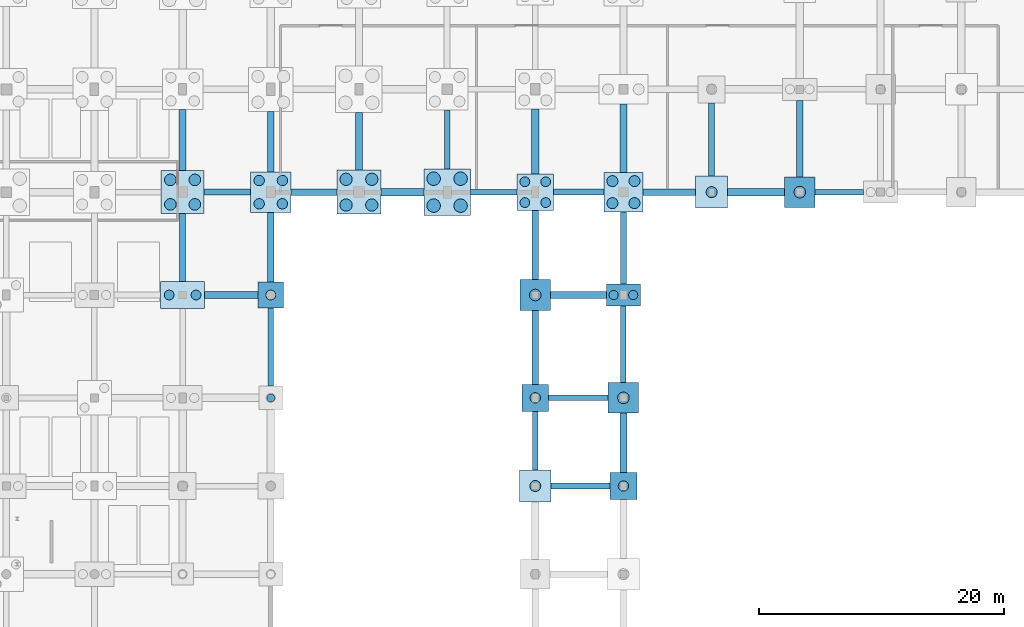
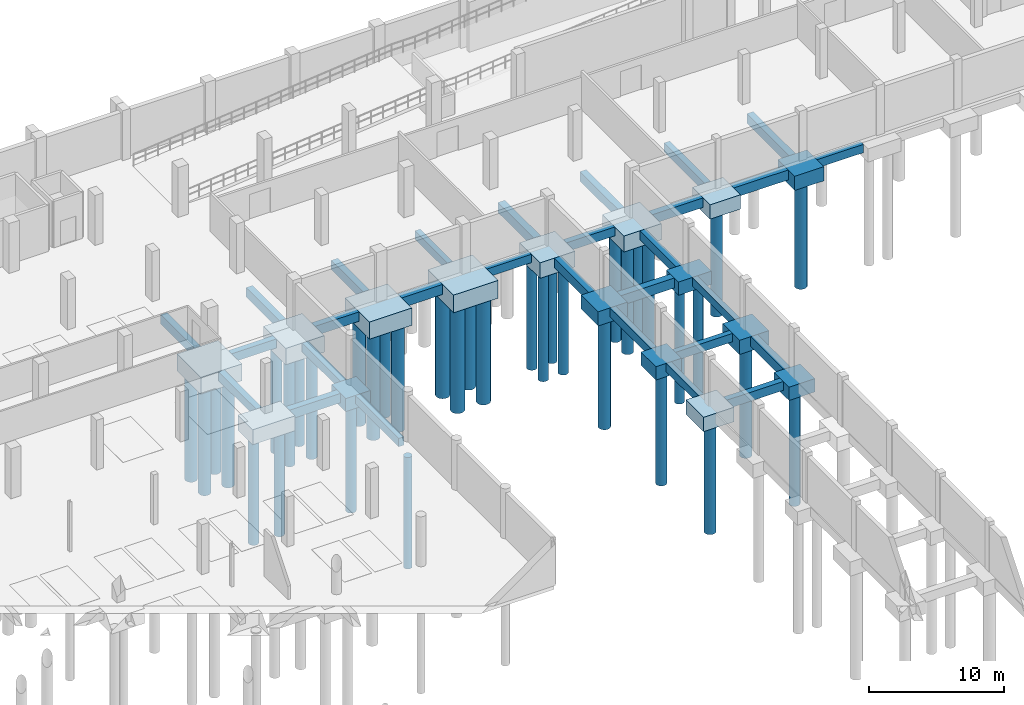
# One storey, part 10 of 35: 45 footings, 37 piles.
"""IFC4 building model written with IfcOpenShell, lengths in metres."""

from ifc_helpers import new_model, si_unit, direction, frame, origin, origin_2d, place, context, subcontext, project, spatial, rectangle, circle, extrude, material, material_profile, profile_set, type_object, element, save


model = new_model("IFC4")

# Units and contexts
model_context = context("Model", 3, precision=1e-05, world=origin(), true_north=direction((0.0, 1.0)))
body_context = subcontext(model_context, "Body", "Model", "MODEL_VIEW")
ifc_project = project(units=[si_unit("LENGTHUNIT", "METRE"), si_unit("AREAUNIT", "SQUARE_METRE"), si_unit("VOLUMEUNIT", "CUBIC_METRE"), si_unit("PLANEANGLEUNIT", "RADIAN"), si_unit("MASSUNIT", "GRAM", prefix="KILO")], contexts=[model_context])

# Site, building, storey
site_placement = place(None, origin())
site = spatial("IfcSite", under=ifc_project, at=site_placement, CompositionType="ELEMENT")
building_placement = place(site_placement, origin())
building = spatial("IfcBuilding", under=site, at=building_placement, Name="Kalluvel Institute of Natural Sciences", CompositionType="ELEMENT")
storey_placement = place(building_placement, frame((0.0, 0.0, -4.5)))
storey = spatial("IfcBuildingStorey", under=building, at=storey_placement, Name="B1", CompositionType="ELEMENT", Elevation=-4.5)

# Footings
ifc_material = material(Name="Concrete M40", Category="concrete")
footing_type_1 = type_object("IfcFootingType", Name="FB-450x750", PredefinedType="FOOTING_BEAM", material=ifc_material)
footing_1_placement = place(storey_placement, frame((111.125, 86.0, -0.75), z_axis=(0.0, 0.0, 1.0), x_axis=(1.0, 0.0, 0.0)))
element("IfcFooting", 1, at=footing_1_placement, inside=storey, type_object=footing_type_1, Name="Foundation tie beam GB-X-100", PredefinedType="FOOTING_BEAM", context=body_context, shape_type="SweptSolid", body=[
    extrude(rectangle(XDim=4.85009765625, YDim=0.449951171875, at=origin_2d()), origin(), (0.0, 0.0, 1.0), 0.75),
])
footing_2_placement = place(storey_placement, frame((104.199951171875, 102.800048828125, -1.199951171875), z_axis=(0.0, 0.0, 1.0), x_axis=(1.0, 0.0, 0.0)))
element("IfcFooting", 2, at=footing_2_placement, inside=storey, type_object=footing_type_1, Name="Foundation tie beam GB-X-124", PredefinedType="FOOTING_BEAM", context=body_context, shape_type="SweptSolid", body=[
    extrude(rectangle(XDim=3.800048828125, YDim=0.449951171875, at=origin_2d()), origin(), (0.0, 0.0, 1.0), 0.75),
])
footing_3_placement = place(storey_placement, frame((132.425048828125, 102.800048828125, -1.199951171875), z_axis=(0.0, 0.0, 1.0), x_axis=(1.0, 0.0, 0.0)))
element("IfcFooting", 3, at=footing_3_placement, inside=storey, type_object=footing_type_1, Name="Foundation tie beam GB-X-128", PredefinedType="FOOTING_BEAM", context=body_context, shape_type="SweptSolid", body=[
    extrude(rectangle(XDim=3.949951171875, YDim=0.449951171875, at=origin_2d()), origin(), (0.0, 0.0, 1.0), 0.75),
])
footing_4_placement = place(storey_placement, frame((86.0, 90.14990234375, -1.199951171875), z_axis=(0.0, 0.0, 1.0), x_axis=(1.0, 0.0, 0.0)))
element("IfcFooting", 4, at=footing_4_placement, inside=storey, type_object=footing_type_1, Name="Foundation tie beam GB-Y-312", PredefinedType="FOOTING_BEAM", context=body_context, shape_type="SweptSolid", body=[
    extrude(rectangle(XDim=0.449951171875, YDim=6.39990234375, at=origin_2d()), origin(), (0.0, 0.0, 1.0), 0.75),
])
for number, where, z_axis, x_axis, name in (
    (5, (100.39990234375, 107.10009765625, -1.199951171875), (0.0, 0.0, 1.0), (1.0, 0.0, 0.0), "Foundation tie beam GB-Y-324"),
    (6, (107.60009765625, 82.5, -0.75), (0.0, 0.0, 1.0), (1.0, 0.0, 0.0), "Foundation tie beam GB-Y-336"),
):
    element("IfcFooting", number, at=place(storey_placement, frame(where, z_axis=z_axis, x_axis=x_axis)), inside=storey, type_object=footing_type_1, Name=name, PredefinedType="FOOTING_BEAM", context=body_context, shape_type="SweptSolid", body=[
        extrude(rectangle(XDim=0.449951171875, YDim=4.800048828125, at=origin_2d()), origin(), (0.0, 0.0, 1.0), 0.75),
    ])
footing_5_placement = place(storey_placement, frame((114.800048828125, 90.375, -0.75), z_axis=(0.0, 0.0, 1.0), x_axis=(1.0, 0.0, 0.0)))
element("IfcFooting", 7, at=footing_5_placement, inside=storey, type_object=footing_type_1, Name="Foundation tie beam GB-Y-352", PredefinedType="FOOTING_BEAM", context=body_context, shape_type="SweptSolid", body=[
    extrude(rectangle(XDim=0.449951171875, YDim=6.25, at=origin_2d()), origin(), (0.0, 0.0, 1.0), 0.75),
])
footing_type_2 = type_object("IfcFootingType", Name="FB-500x800", PredefinedType="FOOTING_BEAM", material=ifc_material)
footing_6_placement = place(storey_placement, frame((111.300048828125, 78.800048828125, -0.7998046875), z_axis=(0.0, 0.0, 1.0), x_axis=(1.0, 0.0, 0.0)))
element("IfcFooting", 8, at=footing_6_placement, inside=storey, type_object=footing_type_2, Name="Foundation tie beam GB-X-089", PredefinedType="FOOTING_BEAM", context=body_context, shape_type="SweptSolid", body=[
    extrude(rectangle(XDim=4.800048828125, YDim=0.5, at=origin_2d()), origin(), (0.0, 0.0, 1.0), 0.800048828125),
])
footing_7_placement = place(storey_placement, frame((82.449951171875, 102.800048828125, -1.25), z_axis=(0.0, 0.0, 1.0), x_axis=(1.0, 0.0, 0.0)))
element("IfcFooting", 9, at=footing_7_placement, inside=storey, type_object=footing_type_2, Name="Foundation tie beam GB-X-121", PredefinedType="FOOTING_BEAM", context=body_context, shape_type="SweptSolid", body=[
    extrude(rectangle(XDim=3.800048828125, YDim=0.5, at=origin_2d()), origin(), (0.0, 0.0, 1.0), 0.800048828125),
])
footing_8_placement = place(storey_placement, frame((111.14990234375, 102.800048828125, -1.25), z_axis=(0.0, 0.0, 1.0), x_axis=(1.0, 0.0, 0.0)))
element("IfcFooting", 10, at=footing_8_placement, inside=storey, type_object=footing_type_2, Name="Foundation tie beam GB-X-125", PredefinedType="FOOTING_BEAM", context=body_context, shape_type="SweptSolid", body=[
    extrude(rectangle(XDim=4.10009765625, YDim=0.5, at=origin_2d()), origin(), (0.0, 0.0, 1.0), 0.800048828125),
])
footing_9_placement = place(storey_placement, frame((78.800048828125, 98.27490234375, -1.25), z_axis=(0.0, 0.0, 1.0), x_axis=(1.0, 0.0, 0.0)))
element("IfcFooting", 11, at=footing_9_placement, inside=storey, type_object=footing_type_2, Name="Foundation tie beam GB-Y-305", PredefinedType="FOOTING_BEAM", context=body_context, shape_type="SweptSolid", body=[
    extrude(rectangle(XDim=0.5, YDim=5.550048828125, at=origin_2d()), origin(), (0.0, 0.0, 1.0), 0.800048828125),
])
footing_10_placement = place(storey_placement, frame((86.0, 98.300048828125, -1.25), z_axis=(0.0, 0.0, 1.0), x_axis=(1.0, 0.0, 0.0)))
element("IfcFooting", 12, at=footing_10_placement, inside=storey, type_object=footing_type_2, Name="Foundation tie beam GB-Y-313", PredefinedType="FOOTING_BEAM", context=body_context, shape_type="SweptSolid", body=[
    extrude(rectangle(XDim=0.5, YDim=5.699951171875, at=origin_2d()), origin(), (0.0, 0.0, 1.0), 0.800048828125),
])
footing_11_placement = place(storey_placement, frame((107.60009765625, 90.125, -0.7998046875), z_axis=(0.0, 0.0, 1.0), x_axis=(1.0, 0.0, 0.0)))
element("IfcFooting", 13, at=footing_11_placement, inside=storey, type_object=footing_type_2, Name="Foundation tie beam GB-Y-337", PredefinedType="FOOTING_BEAM", context=body_context, shape_type="SweptSolid", body=[
    extrude(rectangle(XDim=0.5, YDim=6.050048828125, at=origin_2d()), origin(), (0.0, 0.0, 1.0), 0.800048828125),
])
footing_12_placement = place(storey_placement, frame((114.800048828125, 98.25, -1.25), z_axis=(0.0, 0.0, 1.0), x_axis=(1.0, 0.0, 0.0)))
element("IfcFooting", 14, at=footing_12_placement, inside=storey, type_object=footing_type_2, Name="Foundation tie beam GB-Y-353", PredefinedType="FOOTING_BEAM", context=body_context, shape_type="SweptSolid", body=[
    extrude(rectangle(XDim=0.5, YDim=5.89990234375, at=origin_2d()), origin(), (0.0, 0.0, 1.0), 0.800048828125),
])
footing_13_placement = place(storey_placement, frame((122.0, 107.10009765625, -1.25), z_axis=(0.0, 0.0, 1.0), x_axis=(1.0, 0.0, 0.0)))
element("IfcFooting", 15, at=footing_13_placement, inside=storey, type_object=footing_type_2, Name="Foundation tie beam GB-Y-357", PredefinedType="FOOTING_BEAM", context=body_context, shape_type="SweptSolid", body=[
    extrude(rectangle(XDim=0.5, YDim=6.0, at=origin_2d()), origin(), (0.0, 0.0, 1.0), 0.800048828125),
])
footing_type_3 = type_object("IfcFootingType", Name="FB-550x850", PredefinedType="FOOTING_BEAM", material=ifc_material)
footing_14_placement = place(storey_placement, frame((82.77490234375, 94.39990234375, -1.300048828125), z_axis=(0.0, 0.0, 1.0), x_axis=(1.0, 0.0, 0.0)))
element("IfcFooting", 16, at=footing_14_placement, inside=storey, type_object=footing_type_3, Name="Foundation tie beam GB-X-110", PredefinedType="FOOTING_BEAM", context=body_context, shape_type="SweptSolid", body=[
    extrude(rectangle(XDim=4.35009765625, YDim=0.550048828125, at=origin_2d()), origin(), (0.0, 0.0, 1.0), 0.85009765625),
])
footing_15_placement = place(storey_placement, frame((89.52490234375, 102.800048828125, -1.300048828125), z_axis=(0.0, 0.0, 1.0), x_axis=(1.0, 0.0, 0.0)))
element("IfcFooting", 17, at=footing_15_placement, inside=storey, type_object=footing_type_3, Name="Foundation tie beam GB-X-122", PredefinedType="FOOTING_BEAM", context=body_context, shape_type="SweptSolid", body=[
    extrude(rectangle(XDim=3.75, YDim=0.550048828125, at=origin_2d()), origin(), (0.0, 0.0, 1.0), 0.85009765625),
])
footing_16_placement = place(storey_placement, frame((118.550048828125, 102.800048828125, -1.300048828125), z_axis=(0.0, 0.0, 1.0), x_axis=(1.0, 0.0, 0.0)))
element("IfcFooting", 18, at=footing_16_placement, inside=storey, type_object=footing_type_3, Name="Foundation tie beam GB-X-126", PredefinedType="FOOTING_BEAM", context=body_context, shape_type="SweptSolid", body=[
    extrude(rectangle(XDim=4.300048828125, YDim=0.550048828125, at=origin_2d()), origin(), (0.0, 0.0, 1.0), 0.85009765625),
])
footing_17_placement = place(storey_placement, frame((78.800048828125, 107.050048828125, -1.300048828125), z_axis=(0.0, 0.0, 1.0), x_axis=(1.0, 0.0, 0.0)))
element("IfcFooting", 19, at=footing_17_placement, inside=storey, type_object=footing_type_3, Name="Foundation tie beam GB-Y-306", PredefinedType="FOOTING_BEAM", context=body_context, shape_type="SweptSolid", body=[
    extrude(rectangle(XDim=0.550048828125, YDim=5.0, at=origin_2d()), origin(), (0.0, 0.0, 1.0), 0.85009765625),
])
footing_18_placement = place(storey_placement, frame((86.0, 106.925048828125, -1.300048828125), z_axis=(0.0, 0.0, 1.0), x_axis=(1.0, 0.0, 0.0)))
element("IfcFooting", 20, at=footing_18_placement, inside=storey, type_object=footing_type_3, Name="Foundation tie beam GB-Y-314", PredefinedType="FOOTING_BEAM", context=body_context, shape_type="SweptSolid", body=[
    extrude(rectangle(XDim=0.550048828125, YDim=4.949951171875, at=origin_2d()), origin(), (0.0, 0.0, 1.0), 0.85009765625),
])
footing_19_placement = place(storey_placement, frame((93.199951171875, 106.949951171875, -1.300048828125), z_axis=(0.0, 0.0, 1.0), x_axis=(1.0, 0.0, 0.0)))
element("IfcFooting", 21, at=footing_19_placement, inside=storey, type_object=footing_type_3, Name="Foundation tie beam GB-Y-318", PredefinedType="FOOTING_BEAM", context=body_context, shape_type="SweptSolid", body=[
    extrude(rectangle(XDim=0.550048828125, YDim=4.699951171875, at=origin_2d()), origin(), (0.0, 0.0, 1.0), 0.85009765625),
])
footing_20_placement = place(storey_placement, frame((107.60009765625, 98.47509765625, -1.300048828125), z_axis=(0.0, 0.0, 1.0), x_axis=(1.0, 0.0, 0.0)))
element("IfcFooting", 22, at=footing_20_placement, inside=storey, type_object=footing_type_3, Name="Foundation tie beam GB-Y-338", PredefinedType="FOOTING_BEAM", context=body_context, shape_type="SweptSolid", body=[
    extrude(rectangle(XDim=0.550048828125, YDim=5.64990234375, at=origin_2d()), origin(), (0.0, 0.0, 1.0), 0.85009765625),
])
footing_21_placement = place(storey_placement, frame((114.800048828125, 107.199951171875, -1.300048828125), z_axis=(0.0, 0.0, 1.0), x_axis=(1.0, 0.0, 0.0)))
element("IfcFooting", 23, at=footing_21_placement, inside=storey, type_object=footing_type_3, Name="Foundation tie beam GB-Y-354", PredefinedType="FOOTING_BEAM", context=body_context, shape_type="SweptSolid", body=[
    extrude(rectangle(XDim=0.550048828125, YDim=5.60009765625, at=origin_2d()), origin(), (0.0, 0.0, 1.0), 0.85009765625),
])
footing_22_placement = place(storey_placement, frame((129.199951171875, 107.175048828125, -1.300048828125), z_axis=(0.0, 0.0, 1.0), x_axis=(1.0, 0.0, 0.0)))
element("IfcFooting", 24, at=footing_22_placement, inside=storey, type_object=footing_type_3, Name="Foundation tie beam GB-Y-358", PredefinedType="FOOTING_BEAM", context=body_context, shape_type="SweptSolid", body=[
    extrude(rectangle(XDim=0.550048828125, YDim=6.25, at=origin_2d()), origin(), (0.0, 0.0, 1.0), 0.85009765625),
])
footing_type_4 = type_object("IfcFootingType", Name="FB-600x900", PredefinedType="FOOTING_BEAM", material=ifc_material)
footing_23_placement = place(storey_placement, frame((111.125, 94.39990234375, -0.89990234375), z_axis=(0.0, 0.0, 1.0), x_axis=(1.0, 0.0, 0.0)))
element("IfcFooting", 25, at=footing_23_placement, inside=storey, type_object=footing_type_4, Name="Foundation tie beam GB-X-111", PredefinedType="FOOTING_BEAM", context=body_context, shape_type="SweptSolid", body=[
    extrude(rectangle(XDim=4.550048828125, YDim=0.60009765625, at=origin_2d()), origin(), (0.0, 0.0, 1.0), 0.89990234375),
])
footing_24_placement = place(storey_placement, frame((96.75, 102.800048828125, -1.349853515625), z_axis=(0.0, 0.0, 1.0), x_axis=(1.0, 0.0, 0.0)))
element("IfcFooting", 26, at=footing_24_placement, inside=storey, type_object=footing_type_4, Name="Foundation tie beam GB-X-123", PredefinedType="FOOTING_BEAM", context=body_context, shape_type="SweptSolid", body=[
    extrude(rectangle(XDim=3.5, YDim=0.60009765625, at=origin_2d()), origin(), (0.0, 0.0, 1.0), 0.89990234375),
])
footing_25_placement = place(storey_placement, frame((125.625, 102.800048828125, -1.349853515625), z_axis=(0.0, 0.0, 1.0), x_axis=(1.0, 0.0, 0.0)))
element("IfcFooting", 27, at=footing_25_placement, inside=storey, type_object=footing_type_4, Name="Foundation tie beam GB-X-127", PredefinedType="FOOTING_BEAM", context=body_context, shape_type="SweptSolid", body=[
    extrude(rectangle(XDim=4.64990234375, YDim=0.60009765625, at=origin_2d()), origin(), (0.0, 0.0, 1.0), 0.89990234375),
])
footing_26_placement = place(storey_placement, frame((107.60009765625, 106.949951171875, -1.349853515625), z_axis=(0.0, 0.0, 1.0), x_axis=(1.0, 0.0, 0.0)))
element("IfcFooting", 28, at=footing_26_placement, inside=storey, type_object=footing_type_4, Name="Foundation tie beam GB-Y-339", PredefinedType="FOOTING_BEAM", context=body_context, shape_type="SweptSolid", body=[
    extrude(rectangle(XDim=0.60009765625, YDim=5.300048828125, at=origin_2d()), origin(), (0.0, 0.0, 1.0), 0.89990234375),
])
footing_27_placement = place(storey_placement, frame((114.800048828125, 82.324951171875, -0.89990234375), z_axis=(0.0, 0.0, 1.0), x_axis=(1.0, 0.0, 0.0)))
element("IfcFooting", 29, at=footing_27_placement, inside=storey, type_object=footing_type_4, Name="Foundation tie beam GB-Y-351", PredefinedType="FOOTING_BEAM", context=body_context, shape_type="SweptSolid", body=[
    extrude(rectangle(XDim=0.60009765625, YDim=4.85009765625, at=origin_2d()), origin(), (0.0, 0.0, 1.0), 0.89990234375),
])
footing_type_5 = type_object("IfcFootingType", Name="PC-2100x2100x1180", PredefinedType="PILE_CAP", material=ifc_material)
footing_28_placement = place(storey_placement, frame((86.0, 94.39990234375, -1.6298828125), z_axis=(0.0, 0.0, 1.0), x_axis=(1.0, 0.0, 0.0)))
element("IfcFooting", 30, at=footing_28_placement, inside=storey, type_object=footing_type_5, Name="Pile cap CAP-135", PredefinedType="PILE_CAP", context=body_context, shape_type="SweptSolid", body=[
    extrude(rectangle(XDim=2.10009765625, YDim=2.10009765625, at=origin_2d()), origin(), (0.0, 0.0, 1.0), 1.179931640625),
])
footing_type_6 = type_object("IfcFootingType", Name="PC-2200x2200x1200", PredefinedType="PILE_CAP", material=ifc_material)
for number, where, z_axis, x_axis, name in (
    (31, (107.60009765625, 86.0, -1.2001953125), (0.0, 0.0, 1.0), (1.0, 0.0, 0.0), "Pile cap CAP-164"),
    (32, (114.800048828125, 78.800048828125, -1.2001953125), (0.0, 0.0, 1.0), (1.0, 0.0, 0.0), "Pile cap CAP-179"),
):
    element("IfcFooting", number, at=place(storey_placement, frame(where, z_axis=z_axis, x_axis=x_axis)), inside=storey, type_object=footing_type_6, Name=name, PredefinedType="PILE_CAP", context=body_context, shape_type="SweptSolid", body=[
        extrude(rectangle(XDim=2.199951171875, YDim=2.199951171875, at=origin_2d()), origin(), (0.0, 0.0, 1.0), 1.199951171875),
    ])
footing_type_7 = type_object("IfcFootingType", Name="PC-2500x2500x1280", PredefinedType="PILE_CAP", material=ifc_material)
for number, where, z_axis, x_axis, name in (
    (33, (107.60009765625, 94.39990234375, -1.27978515625), (0.0, 0.0, 1.0), (1.0, 0.0, 0.0), "Pile cap CAP-165"),
    (34, (114.800048828125, 86.0, -1.27978515625), (0.0, 0.0, 1.0), (1.0, 0.0, 0.0), "Pile cap CAP-180"),
    (35, (129.199951171875, 102.800048828125, -1.72998046875), (0.0, 0.0, 1.0), (1.0, 0.0, 0.0), "Pile cap CAP-192"),
):
    element("IfcFooting", number, at=place(storey_placement, frame(where, z_axis=z_axis, x_axis=x_axis)), inside=storey, type_object=footing_type_7, Name=name, PredefinedType="PILE_CAP", context=body_context, shape_type="SweptSolid", body=[
        extrude(rectangle(XDim=2.5, YDim=2.5, at=origin_2d()), origin(), (0.0, 0.0, 1.0), 1.280029296875),
    ])
footing_type_8 = type_object("IfcFootingType", Name="PC-2600x2600x1300", PredefinedType="PILE_CAP", material=ifc_material)
for number, where, z_axis, x_axis, name in (
    (36, (107.60009765625, 78.800048828125, -1.2998046875), (0.0, 0.0, 1.0), (1.0, 0.0, 0.0), "Pile cap CAP-163"),
    (37, (122.0, 102.800048828125, -1.75), (0.0, 0.0, 1.0), (1.0, 0.0, 0.0), "Pile cap CAP-188"),
):
    element("IfcFooting", number, at=place(storey_placement, frame(where, z_axis=z_axis, x_axis=x_axis)), inside=storey, type_object=footing_type_8, Name=name, PredefinedType="PILE_CAP", context=body_context, shape_type="SweptSolid", body=[
        extrude(rectangle(XDim=2.60009765625, YDim=2.60009765625, at=origin_2d()), origin(), (0.0, 0.0, 1.0), 1.300048828125),
    ])
footing_type_9 = type_object("IfcFootingType", Name="PC-2800x1800x1200", PredefinedType="PILE_CAP", material=ifc_material)
footing_29_placement = place(storey_placement, frame((114.800048828125, 94.39990234375, -1.2001953125), z_axis=(0.0, 0.0, 1.0), x_axis=(1.0, 0.0, 0.0)))
element("IfcFooting", 38, at=footing_29_placement, inside=storey, type_object=footing_type_9, Name="Pile cap CAP-181", PredefinedType="PILE_CAP", context=body_context, shape_type="SweptSolid", body=[
    extrude(rectangle(XDim=2.800048828125, YDim=1.800048828125, at=origin_2d()), origin(), (0.0, 0.0, 1.0), 1.199951171875),
])
footing_type_10 = type_object("IfcFootingType", Name="PC-3000x3000x1400", PredefinedType="PILE_CAP", material=ifc_material)
footing_30_placement = place(storey_placement, frame((107.60009765625, 102.800048828125, -1.849853515625), z_axis=(0.0, 0.0, 1.0), x_axis=(1.0, 0.0, 0.0)))
element("IfcFooting", 39, at=footing_30_placement, inside=storey, type_object=footing_type_10, Name="Pile cap CAP-166", PredefinedType="PILE_CAP", context=body_context, shape_type="SweptSolid", body=[
    extrude(rectangle(XDim=3.0, YDim=3.0, at=origin_2d()), origin(), (0.0, 0.0, 1.0), 1.39990234375),
])
footing_type_11 = type_object("IfcFootingType", Name="PC-3200x3200x1450", PredefinedType="PILE_CAP", material=ifc_material)
footing_31_placement = place(storey_placement, frame((114.800048828125, 102.800048828125, -1.89990234375), z_axis=(0.0, 0.0, 1.0), x_axis=(1.0, 0.0, 0.0)))
element("IfcFooting", 40, at=footing_31_placement, inside=storey, type_object=footing_type_11, Name="Pile cap CAP-182", PredefinedType="PILE_CAP", context=body_context, shape_type="SweptSolid", body=[
    extrude(rectangle(XDim=3.199951171875, YDim=3.199951171875, at=origin_2d()), origin(), (0.0, 0.0, 1.0), 1.449951171875),
])
footing_type_12 = type_object("IfcFootingType", Name="PC-3300x3300x1480", PredefinedType="PILE_CAP", material=ifc_material)
footing_32_placement = place(storey_placement, frame((86.0, 102.800048828125, -1.929931640625), z_axis=(0.0, 0.0, 1.0), x_axis=(1.0, 0.0, 0.0)))
element("IfcFooting", 41, at=footing_32_placement, inside=storey, type_object=footing_type_12, Name="Pile cap CAP-136", PredefinedType="PILE_CAP", context=body_context, shape_type="SweptSolid", body=[
    extrude(rectangle(XDim=3.300048828125, YDim=3.300048828125, at=origin_2d()), origin(), (0.0, 0.0, 1.0), 1.47998046875),
])
footing_type_13 = type_object("IfcFootingType", Name="PC-3500x3500x1520", PredefinedType="PILE_CAP", material=ifc_material)
footing_33_placement = place(storey_placement, frame((78.800048828125, 102.800048828125, -1.969970703125), z_axis=(0.0, 0.0, 1.0), x_axis=(1.0, 0.0, 0.0)))
element("IfcFooting", 42, at=footing_33_placement, inside=storey, type_object=footing_type_13, Name="Pile cap CAP-126", PredefinedType="PILE_CAP", context=body_context, shape_type="SweptSolid", body=[
    extrude(rectangle(XDim=3.5, YDim=3.5, at=origin_2d()), origin(), (0.0, 0.0, 1.0), 1.52001953125),
])
footing_type_14 = type_object("IfcFootingType", Name="PC-3600x2200x1350", PredefinedType="PILE_CAP", material=ifc_material)
footing_34_placement = place(storey_placement, frame((78.800048828125, 94.39990234375, -1.800048828125), z_axis=(0.0, 0.0, 1.0), x_axis=(1.0, 0.0, 0.0)))
element("IfcFooting", 43, at=footing_34_placement, inside=storey, type_object=footing_type_14, Name="Pile cap CAP-125", PredefinedType="PILE_CAP", context=body_context, shape_type="SweptSolid", body=[
    extrude(rectangle(XDim=3.60009765625, YDim=2.199951171875, at=origin_2d()), origin(), (0.0, 0.0, 1.0), 1.35009765625),
])
footing_type_15 = type_object("IfcFootingType", Name="PC-3600x3600x1550", PredefinedType="PILE_CAP", material=ifc_material)
footing_35_placement = place(storey_placement, frame((93.199951171875, 102.800048828125, -2.0), z_axis=(0.0, 0.0, 1.0), x_axis=(1.0, 0.0, 0.0)))
element("IfcFooting", 44, at=footing_35_placement, inside=storey, type_object=footing_type_15, Name="Pile cap CAP-142", PredefinedType="PILE_CAP", context=body_context, shape_type="SweptSolid", body=[
    extrude(rectangle(XDim=3.60009765625, YDim=3.60009765625, at=origin_2d()), origin(), (0.0, 0.0, 1.0), 1.550048828125),
])
footing_type_16 = type_object("IfcFootingType", Name="PC-3800x3800x1600", PredefinedType="PILE_CAP", material=ifc_material)
footing_36_placement = place(storey_placement, frame((100.39990234375, 102.800048828125, -2.050048828125), z_axis=(0.0, 0.0, 1.0), x_axis=(1.0, 0.0, 0.0)))
element("IfcFooting", 45, at=footing_36_placement, inside=storey, type_object=footing_type_16, Name="Pile cap CAP-150", PredefinedType="PILE_CAP", context=body_context, shape_type="SweptSolid", body=[
    extrude(rectangle(XDim=3.800048828125, YDim=3.800048828125, at=origin_2d()), origin(), (0.0, 0.0, 1.0), 1.60009765625),
])

# Piles
ifc_material_profile_1 = material_profile(ifc_material, circle(Radius=0.5, at=origin_2d()), Name="PILE D1000")
ifc_profile_set_1 = profile_set([ifc_material_profile_1], Name="Concrete M40")
pile_type_1 = type_object("IfcPileType", Name="PILE-D1000", PredefinedType="BORED", material=ifc_profile_set_1)
for number, where, z_axis, x_axis, name in (
    (46, (92.14990234375, 101.75, -1.8798828125), (0.0, 0.0, -1.0), (1.0, 0.0, 0.0), "Bored rock-socketed pile PILE-X9215-Y10175"),
    (47, (94.25, 101.75, -1.8798828125), (0.0, 0.0, -1.0), (1.0, 0.0, 0.0), "Bored rock-socketed pile PILE-X9425-Y10175"),
    (48, (92.14990234375, 103.85009765625, -1.8798828125), (0.0, 0.0, -1.0), (1.0, 0.0, 0.0), "Bored rock-socketed pile PILE-X9215-Y10385"),
    (49, (94.25, 103.85009765625, -1.8798828125), (0.0, 0.0, -1.0), (1.0, 0.0, 0.0), "Bored rock-socketed pile PILE-X9425-Y10385"),
):
    element("IfcPile", number, at=place(storey_placement, frame(where, z_axis=z_axis, x_axis=x_axis)), inside=storey, type_object=pile_type_1, Name=name, PredefinedType="BORED", context=body_context, shape_type="SweptSolid", body=[
        extrude(circle(Radius=0.5, at=origin_2d()), origin(), (0.0, 0.0, 1.0), 9.6201171875),
    ])
ifc_material_profile_2 = material_profile(ifc_material, circle(Radius=0.550048828125, at=origin_2d()), Name="PILE D1100")
ifc_profile_set_2 = profile_set([ifc_material_profile_2], Name="Concrete M40")
pile_type_2 = type_object("IfcPileType", Name="PILE-D1100", PredefinedType="BORED", material=ifc_profile_set_2)
for number, where, z_axis, x_axis, name in (
    (50, (99.300048828125, 101.699951171875, -1.929931640625), (0.0, 0.0, -1.0), (1.0, 0.0, 0.0), "Bored rock-socketed pile PILE-X9930-Y10170"),
    (51, (101.5, 101.699951171875, -1.929931640625), (0.0, 0.0, -1.0), (1.0, 0.0, 0.0), "Bored rock-socketed pile PILE-X10150-Y10170"),
    (52, (99.300048828125, 103.89990234375, -1.929931640625), (0.0, 0.0, -1.0), (1.0, 0.0, 0.0), "Bored rock-socketed pile PILE-X9930-Y10390"),
    (53, (101.5, 103.89990234375, -1.929931640625), (0.0, 0.0, -1.0), (1.0, 0.0, 0.0), "Bored rock-socketed pile PILE-X10150-Y10390"),
):
    element("IfcPile", number, at=place(storey_placement, frame(where, z_axis=z_axis, x_axis=x_axis)), inside=storey, type_object=pile_type_2, Name=name, PredefinedType="BORED", context=body_context, shape_type="SweptSolid", body=[
        extrude(circle(Radius=0.550048828125, at=origin_2d()), origin(), (0.0, 0.0, 1.0), 9.570068359375),
    ])
ifc_material_profile_3 = material_profile(ifc_material, circle(Radius=0.324951171875, at=origin_2d()), Name="PILE D650")
ifc_profile_set_3 = profile_set([ifc_material_profile_3], Name="Concrete M40")
pile_type_3 = type_object("IfcPileType", Name="PILE-D650", PredefinedType="BORED", material=ifc_profile_set_3)
pile_1_placement = place(storey_placement, frame((86.0, 86.0, -1.449951171875), z_axis=(0.0, 0.0, -1.0), x_axis=(1.0, 0.0, 0.0)))
element("IfcPile", 54, at=pile_1_placement, inside=storey, type_object=pile_type_3, Name="Bored rock-socketed pile PILE-X8600-Y8600", PredefinedType="BORED", context=body_context, shape_type="SweptSolid", body=[
    extrude(circle(Radius=0.324951171875, at=origin_2d()), origin(), (0.0, 0.0, 1.0), 10.050048828125),
])
ifc_material_profile_4 = material_profile(ifc_material, circle(Radius=0.375, at=origin_2d()), Name="PILE D750")
ifc_profile_set_4 = profile_set([ifc_material_profile_4], Name="Concrete M40")
pile_type_4 = type_object("IfcPileType", Name="PILE-D750", PredefinedType="BORED", material=ifc_profile_set_4)
for number, where, z_axis, x_axis, name in (
    (55, (114.0, 94.39990234375, -1.080078125), (0.0, 0.0, -1.0), (1.0, 0.0, 0.0), "Bored rock-socketed pile PILE-X11400-Y9440"),
    (56, (115.60009765625, 94.39990234375, -1.080078125), (0.0, 0.0, -1.0), (1.0, 0.0, 0.0), "Bored rock-socketed pile PILE-X11560-Y9440"),
):
    element("IfcPile", number, at=place(storey_placement, frame(where, z_axis=z_axis, x_axis=x_axis)), inside=storey, type_object=pile_type_4, Name=name, PredefinedType="BORED", context=body_context, shape_type="SweptSolid", body=[
        extrude(circle(Radius=0.375, at=origin_2d()), origin(), (0.0, 0.0, 1.0), 10.419921875),
    ])
ifc_material_profile_5 = material_profile(ifc_material, circle(Radius=0.39990234375, at=origin_2d()), Name="PILE D800")
ifc_profile_set_5 = profile_set([ifc_material_profile_5], Name="Concrete M40")
pile_type_5 = type_object("IfcPileType", Name="PILE-D800", PredefinedType="BORED", material=ifc_profile_set_5)
for number, where, z_axis, x_axis, name in (
    (57, (77.699951171875, 94.39990234375, -1.679931640625), (0.0, 0.0, -1.0), (1.0, 0.0, 0.0), "Bored rock-socketed pile PILE-X7770-Y9440"),
    (58, (79.89990234375, 94.39990234375, -1.679931640625), (0.0, 0.0, -1.0), (1.0, 0.0, 0.0), "Bored rock-socketed pile PILE-X7990-Y9440"),
):
    element("IfcPile", number, at=place(storey_placement, frame(where, z_axis=z_axis, x_axis=x_axis)), inside=storey, type_object=pile_type_5, Name=name, PredefinedType="BORED", context=body_context, shape_type="SweptSolid", body=[
        extrude(circle(Radius=0.39990234375, at=origin_2d()), origin(), (0.0, 0.0, 1.0), 9.820068359375),
    ])
pile_2_placement = place(storey_placement, frame((86.0, 94.39990234375, -1.510009765625), z_axis=(0.0, 0.0, -1.0), x_axis=(1.0, 0.0, 0.0)))
element("IfcPile", 59, at=pile_2_placement, inside=storey, type_object=pile_type_5, Name="Bored rock-socketed pile PILE-X8600-Y9440", PredefinedType="BORED", context=body_context, shape_type="SweptSolid", body=[
    extrude(circle(Radius=0.39990234375, at=origin_2d()), origin(), (0.0, 0.0, 1.0), 9.989990234375),
])
for number, where, z_axis, x_axis, name in (
    (60, (106.75, 101.949951171875, -1.72998046875), (0.0, 0.0, -1.0), (1.0, 0.0, 0.0), "Bored rock-socketed pile PILE-X10675-Y10195"),
    (61, (108.449951171875, 101.949951171875, -1.72998046875), (0.0, 0.0, -1.0), (1.0, 0.0, 0.0), "Bored rock-socketed pile PILE-X10845-Y10195"),
    (62, (106.75, 103.64990234375, -1.72998046875), (0.0, 0.0, -1.0), (1.0, 0.0, 0.0), "Bored rock-socketed pile PILE-X10675-Y10365"),
    (63, (108.449951171875, 103.64990234375, -1.72998046875), (0.0, 0.0, -1.0), (1.0, 0.0, 0.0), "Bored rock-socketed pile PILE-X10845-Y10365"),
):
    element("IfcPile", number, at=place(storey_placement, frame(where, z_axis=z_axis, x_axis=x_axis)), inside=storey, type_object=pile_type_5, Name=name, PredefinedType="BORED", context=body_context, shape_type="SweptSolid", body=[
        extrude(circle(Radius=0.39990234375, at=origin_2d()), origin(), (0.0, 0.0, 1.0), 9.77001953125),
    ])
ifc_material_profile_6 = material_profile(ifc_material, circle(Radius=0.425048828125, at=origin_2d()), Name="PILE D850")
ifc_profile_set_6 = profile_set([ifc_material_profile_6], Name="Concrete M40")
pile_type_6 = type_object("IfcPileType", Name="PILE-D850", PredefinedType="BORED", material=ifc_profile_set_6)
for number, where, z_axis, x_axis, name in (
    (64, (85.050048828125, 101.85009765625, -1.81005859375), (0.0, 0.0, -1.0), (1.0, 0.0, 0.0), "Bored rock-socketed pile PILE-X8505-Y10185"),
    (65, (86.949951171875, 101.85009765625, -1.81005859375), (0.0, 0.0, -1.0), (1.0, 0.0, 0.0), "Bored rock-socketed pile PILE-X8695-Y10185"),
    (66, (85.050048828125, 103.75, -1.81005859375), (0.0, 0.0, -1.0), (1.0, 0.0, 0.0), "Bored rock-socketed pile PILE-X8505-Y10375"),
    (67, (86.949951171875, 103.75, -1.81005859375), (0.0, 0.0, -1.0), (1.0, 0.0, 0.0), "Bored rock-socketed pile PILE-X8695-Y10375"),
):
    element("IfcPile", number, at=place(storey_placement, frame(where, z_axis=z_axis, x_axis=x_axis)), inside=storey, type_object=pile_type_6, Name=name, PredefinedType="BORED", context=body_context, shape_type="SweptSolid", body=[
        extrude(circle(Radius=0.425048828125, at=origin_2d()), origin(), (0.0, 0.0, 1.0), 9.68994140625),
    ])
for number, where, z_axis, x_axis, name in (
    (68, (107.60009765625, 86.0, -1.080078125), (0.0, 0.0, -1.0), (1.0, 0.0, 0.0), "Bored rock-socketed pile PILE-X10760-Y8600"),
    (69, (114.800048828125, 78.800048828125, -1.080078125), (0.0, 0.0, -1.0), (1.0, 0.0, 0.0), "Bored rock-socketed pile PILE-X11480-Y7880"),
):
    element("IfcPile", number, at=place(storey_placement, frame(where, z_axis=z_axis, x_axis=x_axis)), inside=storey, type_object=pile_type_6, Name=name, PredefinedType="BORED", context=body_context, shape_type="SweptSolid", body=[
        extrude(circle(Radius=0.425048828125, at=origin_2d()), origin(), (0.0, 0.0, 1.0), 10.419921875),
    ])
ifc_material_profile_7 = material_profile(ifc_material, circle(Radius=0.449951171875, at=origin_2d()), Name="PILE D900")
ifc_profile_set_7 = profile_set([ifc_material_profile_7], Name="Concrete M40")
pile_type_7 = type_object("IfcPileType", Name="PILE-D900", PredefinedType="BORED", material=ifc_profile_set_7)
pile_3_placement = place(storey_placement, frame((107.60009765625, 78.800048828125, -1.179931640625), z_axis=(0.0, 0.0, -1.0), x_axis=(1.0, 0.0, 0.0)))
element("IfcPile", 70, at=pile_3_placement, inside=storey, type_object=pile_type_7, Name="Bored rock-socketed pile PILE-X10760-Y7880", PredefinedType="BORED", context=body_context, shape_type="SweptSolid", body=[
    extrude(circle(Radius=0.449951171875, at=origin_2d()), origin(), (0.0, 0.0, 1.0), 10.320068359375),
])
for number, where, z_axis, x_axis, name in (
    (71, (113.89990234375, 101.89990234375, -1.780029296875), (0.0, 0.0, -1.0), (1.0, 0.0, 0.0), "Bored rock-socketed pile PILE-X11390-Y10190"),
    (72, (115.699951171875, 101.89990234375, -1.780029296875), (0.0, 0.0, -1.0), (1.0, 0.0, 0.0), "Bored rock-socketed pile PILE-X11570-Y10190"),
    (73, (113.89990234375, 103.699951171875, -1.780029296875), (0.0, 0.0, -1.0), (1.0, 0.0, 0.0), "Bored rock-socketed pile PILE-X11390-Y10370"),
    (74, (115.699951171875, 103.699951171875, -1.780029296875), (0.0, 0.0, -1.0), (1.0, 0.0, 0.0), "Bored rock-socketed pile PILE-X11570-Y10370"),
):
    element("IfcPile", number, at=place(storey_placement, frame(where, z_axis=z_axis, x_axis=x_axis)), inside=storey, type_object=pile_type_7, Name=name, PredefinedType="BORED", context=body_context, shape_type="SweptSolid", body=[
        extrude(circle(Radius=0.449951171875, at=origin_2d()), origin(), (0.0, 0.0, 1.0), 9.719970703125),
    ])
pile_4_placement = place(storey_placement, frame((122.0, 102.800048828125, -1.6298828125), z_axis=(0.0, 0.0, -1.0), x_axis=(1.0, 0.0, 0.0)))
element("IfcPile", 75, at=pile_4_placement, inside=storey, type_object=pile_type_7, Name="Bored rock-socketed pile PILE-X12200-Y10280", PredefinedType="BORED", context=body_context, shape_type="SweptSolid", body=[
    extrude(circle(Radius=0.449951171875, at=origin_2d()), origin(), (0.0, 0.0, 1.0), 9.8701171875),
])
ifc_material_profile_8 = material_profile(ifc_material, circle(Radius=0.47509765625, at=origin_2d()), Name="PILE D950")
ifc_profile_set_8 = profile_set([ifc_material_profile_8], Name="Concrete M40")
pile_type_8 = type_object("IfcPileType", Name="PILE-D950", PredefinedType="BORED", material=ifc_profile_set_8)
for number, where, z_axis, x_axis, name in (
    (76, (77.800048828125, 101.800048828125, -1.85009765625), (0.0, 0.0, -1.0), (1.0, 0.0, 0.0), "Bored rock-socketed pile PILE-X7780-Y10180"),
    (77, (79.800048828125, 101.800048828125, -1.85009765625), (0.0, 0.0, -1.0), (1.0, 0.0, 0.0), "Bored rock-socketed pile PILE-X7980-Y10180"),
    (78, (77.800048828125, 103.800048828125, -1.85009765625), (0.0, 0.0, -1.0), (1.0, 0.0, 0.0), "Bored rock-socketed pile PILE-X7780-Y10380"),
    (79, (79.800048828125, 103.800048828125, -1.85009765625), (0.0, 0.0, -1.0), (1.0, 0.0, 0.0), "Bored rock-socketed pile PILE-X7980-Y10380"),
):
    element("IfcPile", number, at=place(storey_placement, frame(where, z_axis=z_axis, x_axis=x_axis)), inside=storey, type_object=pile_type_8, Name=name, PredefinedType="BORED", context=body_context, shape_type="SweptSolid", body=[
        extrude(circle(Radius=0.47509765625, at=origin_2d()), origin(), (0.0, 0.0, 1.0), 9.64990234375),
    ])
for number, where, z_axis, x_axis, name in (
    (80, (107.60009765625, 94.39990234375, -1.159912109375), (0.0, 0.0, -1.0), (1.0, 0.0, 0.0), "Bored rock-socketed pile PILE-X10760-Y9440"),
    (81, (114.800048828125, 86.0, -1.159912109375), (0.0, 0.0, -1.0), (1.0, 0.0, 0.0), "Bored rock-socketed pile PILE-X11480-Y8600"),
):
    element("IfcPile", number, at=place(storey_placement, frame(where, z_axis=z_axis, x_axis=x_axis)), inside=storey, type_object=pile_type_8, Name=name, PredefinedType="BORED", context=body_context, shape_type="SweptSolid", body=[
        extrude(circle(Radius=0.47509765625, at=origin_2d()), origin(), (0.0, 0.0, 1.0), 10.340087890625),
    ])
pile_5_placement = place(storey_placement, frame((129.199951171875, 102.800048828125, -1.610107421875), z_axis=(0.0, 0.0, -1.0), x_axis=(1.0, 0.0, 0.0)))
element("IfcPile", 82, at=pile_5_placement, inside=storey, type_object=pile_type_8, Name="Bored rock-socketed pile PILE-X12920-Y10280", PredefinedType="BORED", context=body_context, shape_type="SweptSolid", body=[
    extrude(circle(Radius=0.47509765625, at=origin_2d()), origin(), (0.0, 0.0, 1.0), 9.889892578125),
])

save(model, "model.ifc")
